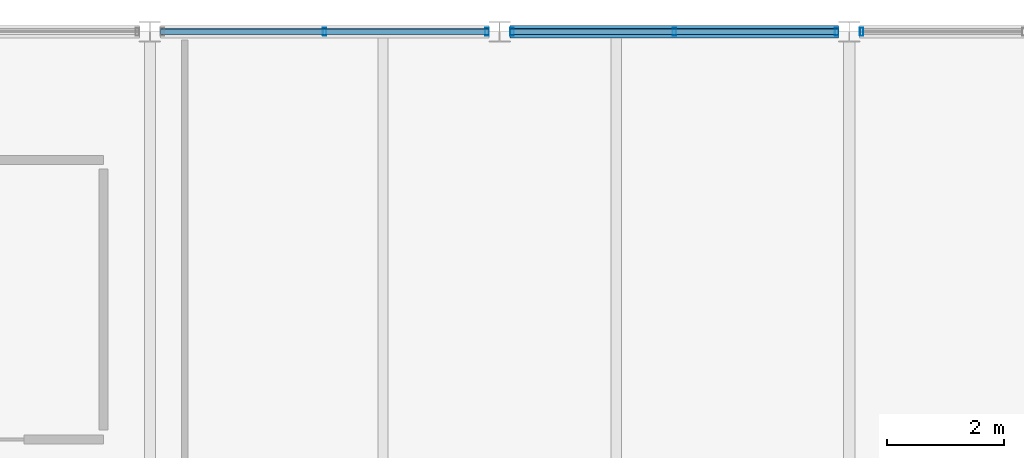
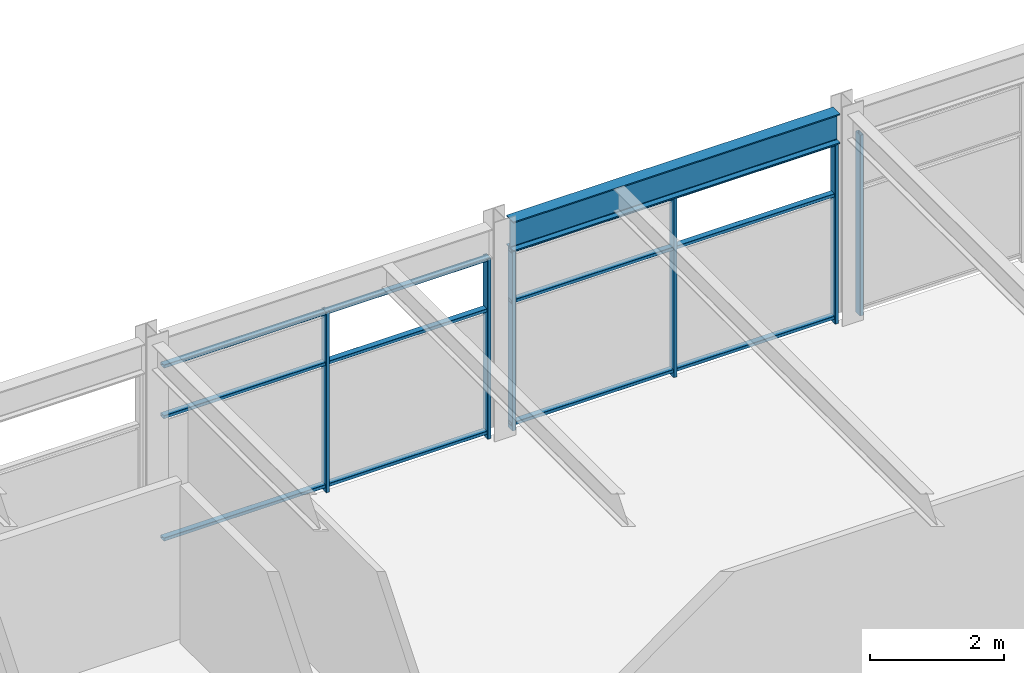
# One storey, part 18 of 32: 12 members, 1 beam, 3 elements without a shape of their own.
"""IFC4 building model written with IfcOpenShell, lengths in metres."""

from ifc_helpers import new_model, si_unit, direction, frame, origin, origin_2d, place, context, subcontext, project, spatial, hollow_rectangle, i_section, extrude, material, material_profile, profile_set, type_object, element, aggregate, save


model = new_model("IFC4")

# Units and contexts
model_context = context("Model", 3, precision=1e-05, world=origin(), true_north=direction((0.0, 1.0)))
body_context = subcontext(model_context, "Body", "Model", "MODEL_VIEW")
ifc_project = project(units=[si_unit("LENGTHUNIT", "METRE"), si_unit("AREAUNIT", "SQUARE_METRE"), si_unit("VOLUMEUNIT", "CUBIC_METRE"), si_unit("PLANEANGLEUNIT", "RADIAN"), si_unit("MASSUNIT", "GRAM", prefix="KILO")], contexts=[model_context])

# Site, building, storey
site_placement = place(None, origin())
site = spatial("IfcSite", under=ifc_project, at=site_placement, CompositionType="ELEMENT")
building_placement = place(site_placement, origin())
building = spatial("IfcBuilding", under=site, at=building_placement, Name="Girod Span Mobility Hub", CompositionType="ELEMENT")
storey_placement = place(building_placement, frame((0.0, 0.0, 61.60009765625)))
storey = spatial("IfcBuildingStorey", under=building, at=storey_placement, Name="L15", CompositionType="ELEMENT", Elevation=61.60009765625)

# Beam
ifc_material_1 = material(Name="Steel A992 Grade 50", Category="steel")
ifc_material_profile_1 = material_profile(ifc_material_1, i_section(OverallWidth=0.2119140625, OverallDepth=0.5439453125, WebThickness=0.01318359375, FlangeThickness=0.021240234375, FilletRadius=0.014892578125, at=origin_2d()), Name="W21X83")
ifc_profile_set_1 = profile_set([ifc_material_profile_1], Name="Steel A992 Grade 50")
beam_type = type_object("IfcBeamType", Name="BM-STL-W21X83", PredefinedType="SPANDREL", material=ifc_profile_set_1)
beam_placement = place(storey_placement, frame((78.181396484375, 69.0, 3.56787109375), z_axis=(1.0, 0.0, 0.0), x_axis=(0.0, 1.0, 0.0)))
element("IfcBeam", 1, at=beam_placement, inside=storey, type_object=beam_type, Name="Spandrel Beam 7-8/F-E L15", PredefinedType="SPANDREL", context=body_context, shape_type="SweptSolid", body=[
    extrude(i_section(OverallWidth=0.2119140625, OverallDepth=0.5439453125, WebThickness=0.01318359375, FlangeThickness=0.021240234375, FilletRadius=0.014892578125, at=origin_2d()), origin(), (0.0, 0.0, 1.0), 5.63720703125),
])

# Curtain wall, members
ifc_material_2 = material(Name="Thermally Broken Anodised Aluminium", Category="aluminium")
curtain_wall_type = type_object("IfcCurtainWallType", Name="CW-564X330", PredefinedType="USERDEFINED", material=ifc_material_2)
curtain_wall_1_placement = place(storey_placement, origin())
curtain_wall_1 = element("IfcCurtainWall", 2, at=curtain_wall_1_placement, inside=storey, type_object=curtain_wall_type, Name="Unitised Curtain Wall CW-L15-N07W L15", ObjectType="UNITISED CURTAIN WALL", PredefinedType="USERDEFINED")
ifc_material_3 = material(Name="Thermally Broken Anodised Aluminium", Category="aluminium")
ifc_material_profile_2 = material_profile(ifc_material_3, hollow_rectangle(XDim=0.139892578125, YDim=0.06005859375, WallThickness=0.00341796875, InnerFilletRadius=0.00341796875, OuterFilletRadius=0.007080078125, at=origin_2d()), Name="CW-ML-60X140")
ifc_profile_set_2 = profile_set([ifc_material_profile_2], Name="Thermally Broken Anodised Aluminium")
member_type_1 = type_object("IfcMemberType", Name="CWM-ML-4", PredefinedType="MULLION", material=ifc_profile_set_2)
member_1_placement = place(storey_placement, frame((75.0, 69.0, 0.0), z_axis=(0.0, 0.0, 1.0), x_axis=(0.0, 1.0, 0.0)))
member_1 = element("IfcMember", 3, at=member_1_placement, type_object=member_type_1, Name="Curtain Wall Mullion CW-L15-N07W-M1", PredefinedType="MULLION", context=body_context, shape_type="SweptSolid", body=[
    extrude(hollow_rectangle(XDim=0.139892578125, YDim=0.06005859375, WallThickness=0.00341796875, InnerFilletRadius=0.00341796875, OuterFilletRadius=0.007080078125, at=origin_2d()), origin(), (0.0, 0.0, 1.0), 3.2958984375),
])
member_2_placement = place(storey_placement, frame((77.785400390625, 69.0, 0.0), z_axis=(0.0, 0.0, 1.0), x_axis=(0.0, 1.0, 0.0)))
member_2 = element("IfcMember", 4, at=member_2_placement, type_object=member_type_1, Name="Curtain Wall Mullion CW-L15-N07W-M2", PredefinedType="MULLION", context=body_context, shape_type="SweptSolid", body=[
    extrude(hollow_rectangle(XDim=0.139892578125, YDim=0.06005859375, WallThickness=0.00341796875, InnerFilletRadius=0.00341796875, OuterFilletRadius=0.007080078125, at=origin_2d()), origin(), (0.0, 0.0, 1.0), 3.2958984375),
])

curtain_wall_2_placement = place(storey_placement, origin())
curtain_wall_2 = element("IfcCurtainWall", 5, at=curtain_wall_2_placement, inside=storey, type_object=curtain_wall_type, Name="Unitised Curtain Wall CW-L15-N07E L15", ObjectType="UNITISED CURTAIN WALL", PredefinedType="USERDEFINED")
member_3_placement = place(storey_placement, frame((78.214599609375, 69.0, 0.0), z_axis=(0.0, 0.0, 1.0), x_axis=(0.0, 1.0, 0.0)))
member_3 = element("IfcMember", 6, at=member_3_placement, type_object=member_type_1, Name="Curtain Wall Mullion CW-L15-N07E-M0", PredefinedType="MULLION", context=body_context, shape_type="SweptSolid", body=[
    extrude(hollow_rectangle(XDim=0.139892578125, YDim=0.06005859375, WallThickness=0.00341796875, InnerFilletRadius=0.00341796875, OuterFilletRadius=0.007080078125, at=origin_2d()), origin(), (0.0, 0.0, 1.0), 3.2958984375),
])
member_4_placement = place(storey_placement, frame((81.0, 69.0, 0.0), z_axis=(0.0, 0.0, 1.0), x_axis=(0.0, 1.0, 0.0)))
member_4 = element("IfcMember", 7, at=member_4_placement, type_object=member_type_1, Name="Curtain Wall Mullion CW-L15-N07E-M1", PredefinedType="MULLION", context=body_context, shape_type="SweptSolid", body=[
    extrude(hollow_rectangle(XDim=0.139892578125, YDim=0.06005859375, WallThickness=0.00341796875, InnerFilletRadius=0.00341796875, OuterFilletRadius=0.007080078125, at=origin_2d()), origin(), (0.0, 0.0, 1.0), 3.2958984375),
])
member_5_placement = place(storey_placement, frame((83.785400390625, 69.0, 0.0), z_axis=(0.0, 0.0, 1.0), x_axis=(0.0, 1.0, 0.0)))
member_5 = element("IfcMember", 8, at=member_5_placement, type_object=member_type_1, Name="Curtain Wall Mullion CW-L15-N07E-M2", PredefinedType="MULLION", context=body_context, shape_type="SweptSolid", body=[
    extrude(hollow_rectangle(XDim=0.139892578125, YDim=0.06005859375, WallThickness=0.00341796875, InnerFilletRadius=0.00341796875, OuterFilletRadius=0.007080078125, at=origin_2d()), origin(), (0.0, 0.0, 1.0), 3.2958984375),
])

# Curtain wall, member
curtain_wall_3_placement = place(storey_placement, origin())
curtain_wall_3 = element("IfcCurtainWall", 9, at=curtain_wall_3_placement, inside=storey, type_object=curtain_wall_type, Name="Unitised Curtain Wall CW-L15-N08W L15", ObjectType="UNITISED CURTAIN WALL", PredefinedType="USERDEFINED")
member_6_placement = place(storey_placement, frame((84.214599609375, 69.0, 0.0), z_axis=(0.0, 0.0, 1.0), x_axis=(0.0, 1.0, 0.0)))
member_6 = element("IfcMember", 10, at=member_6_placement, type_object=member_type_1, Name="Curtain Wall Mullion CW-L15-N08W-M0", PredefinedType="MULLION", context=body_context, shape_type="SweptSolid", body=[
    extrude(hollow_rectangle(XDim=0.139892578125, YDim=0.06005859375, WallThickness=0.00341796875, InnerFilletRadius=0.00341796875, OuterFilletRadius=0.007080078125, at=origin_2d()), origin(), (0.0, 0.0, 1.0), 3.2958984375),
])
aggregate(curtain_wall_3, [member_6])

# Member
ifc_material_4 = material(Name="Thermally Broken Anodised Aluminium", Category="aluminium")
ifc_material_profile_3 = material_profile(ifc_material_4, hollow_rectangle(XDim=0.10498046875, YDim=0.06005859375, WallThickness=0.00341796875, InnerFilletRadius=0.00341796875, OuterFilletRadius=0.007080078125, at=origin_2d()), Name="CW-TR-60X105")
ifc_profile_set_3 = profile_set([ifc_material_profile_3], Name="Thermally Broken Anodised Aluminium")
member_type_2 = type_object("IfcMemberType", Name="CWM-TR-4", PredefinedType="USERDEFINED", material=ifc_profile_set_3)
member_7_placement = place(storey_placement, frame((72.1826171875, 69.0, 0.10986328125), z_axis=(1.0, 0.0, 0.0), x_axis=(0.0, 1.0, 0.0)))
member_7 = element("IfcMember", 11, at=member_7_placement, type_object=member_type_2, Name="Curtain Wall Transom CW-L15-N07W-T1", ObjectType="TRANSOM", PredefinedType="USERDEFINED", context=body_context, shape_type="SweptSolid", body=[
    extrude(hollow_rectangle(XDim=0.10498046875, YDim=0.06005859375, WallThickness=0.00341796875, InnerFilletRadius=0.00341796875, OuterFilletRadius=0.007080078125, at=origin_2d()), origin(), (0.0, 0.0, 1.0), 5.634765625),
])

member_8_placement = place(storey_placement, frame((72.1826171875, 69.0, 2.343017578125), z_axis=(1.0, 0.0, 0.0), x_axis=(0.0, 1.0, 0.0)))
member_8 = element("IfcMember", 12, at=member_8_placement, type_object=member_type_2, Name="Curtain Wall Transom CW-L15-N07W-T2", ObjectType="TRANSOM", PredefinedType="USERDEFINED", context=body_context, shape_type="SweptSolid", body=[
    extrude(hollow_rectangle(XDim=0.10498046875, YDim=0.06005859375, WallThickness=0.00341796875, InnerFilletRadius=0.00341796875, OuterFilletRadius=0.007080078125, at=origin_2d()), origin(), (0.0, 0.0, 1.0), 5.634765625),
])

member_9_placement = place(storey_placement, frame((72.1826171875, 69.0, 3.265869140625), z_axis=(1.0, 0.0, 0.0), x_axis=(0.0, 1.0, 0.0)))
member_9 = element("IfcMember", 13, at=member_9_placement, type_object=member_type_2, Name="Curtain Wall Transom CW-L15-N07W-T3", ObjectType="TRANSOM", PredefinedType="USERDEFINED", context=body_context, shape_type="SweptSolid", body=[
    extrude(hollow_rectangle(XDim=0.10498046875, YDim=0.06005859375, WallThickness=0.00341796875, InnerFilletRadius=0.00341796875, OuterFilletRadius=0.007080078125, at=origin_2d()), origin(), (0.0, 0.0, 1.0), 5.634765625),
])

aggregate(curtain_wall_1, [member_1, member_2, member_7, member_8, member_9])

member_10_placement = place(storey_placement, frame((78.1826171875, 69.0, 0.10986328125), z_axis=(1.0, 0.0, 0.0), x_axis=(0.0, 1.0, 0.0)))
member_10 = element("IfcMember", 14, at=member_10_placement, type_object=member_type_2, Name="Curtain Wall Transom CW-L15-N07E-T1", ObjectType="TRANSOM", PredefinedType="USERDEFINED", context=body_context, shape_type="SweptSolid", body=[
    extrude(hollow_rectangle(XDim=0.10498046875, YDim=0.06005859375, WallThickness=0.00341796875, InnerFilletRadius=0.00341796875, OuterFilletRadius=0.007080078125, at=origin_2d()), origin(), (0.0, 0.0, 1.0), 5.634765625),
])

member_11_placement = place(storey_placement, frame((78.1826171875, 69.0, 2.343017578125), z_axis=(1.0, 0.0, 0.0), x_axis=(0.0, 1.0, 0.0)))
member_11 = element("IfcMember", 15, at=member_11_placement, type_object=member_type_2, Name="Curtain Wall Transom CW-L15-N07E-T2", ObjectType="TRANSOM", PredefinedType="USERDEFINED", context=body_context, shape_type="SweptSolid", body=[
    extrude(hollow_rectangle(XDim=0.10498046875, YDim=0.06005859375, WallThickness=0.00341796875, InnerFilletRadius=0.00341796875, OuterFilletRadius=0.007080078125, at=origin_2d()), origin(), (0.0, 0.0, 1.0), 5.634765625),
])

member_12_placement = place(storey_placement, frame((78.1826171875, 69.0, 3.265869140625), z_axis=(1.0, 0.0, 0.0), x_axis=(0.0, 1.0, 0.0)))
member_12 = element("IfcMember", 16, at=member_12_placement, type_object=member_type_2, Name="Curtain Wall Transom CW-L15-N07E-T3", ObjectType="TRANSOM", PredefinedType="USERDEFINED", context=body_context, shape_type="SweptSolid", body=[
    extrude(hollow_rectangle(XDim=0.10498046875, YDim=0.06005859375, WallThickness=0.00341796875, InnerFilletRadius=0.00341796875, OuterFilletRadius=0.007080078125, at=origin_2d()), origin(), (0.0, 0.0, 1.0), 5.634765625),
])

aggregate(curtain_wall_2, [member_3, member_4, member_5, member_10, member_11, member_12])

save(model, "model.ifc")
